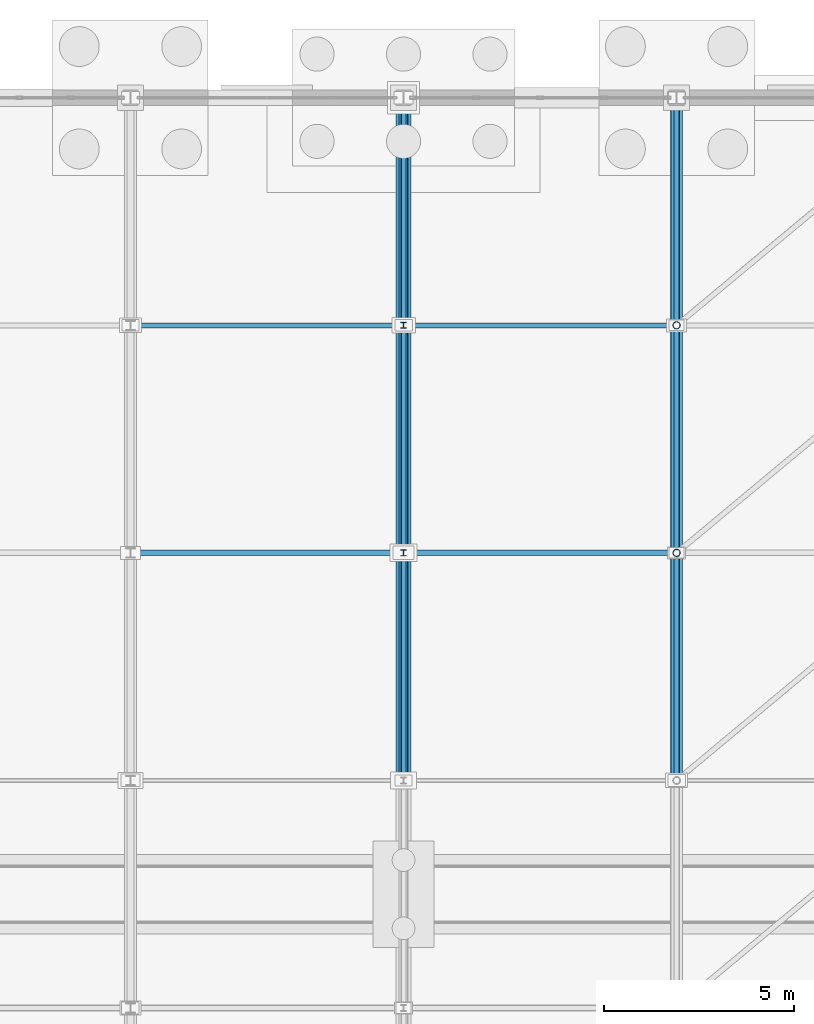
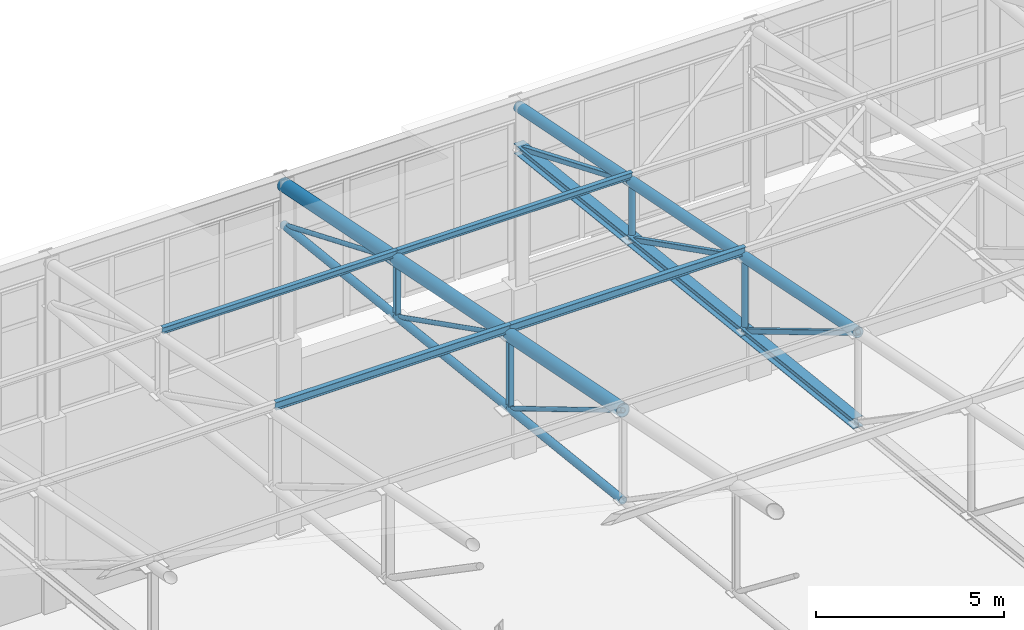
# One storey, part 211 of 293: 26 members.
"""IFC4 building model written with IfcOpenShell, lengths in metres."""

from ifc_helpers import new_model, si_unit, direction, frame, origin, origin_2d, place, context, subcontext, project, spatial, hollow_rectangle, hollow_circle, i_section, extrude, material, material_profile, profile_set, type_object, element, save


model = new_model("IFC4")

# Units and contexts
model_context = context("Model", 3, precision=1e-05, world=origin(), true_north=direction((0.0, 1.0)))
body_context = subcontext(model_context, "Body", "Model", "MODEL_VIEW")
ifc_project = project(units=[si_unit("LENGTHUNIT", "METRE"), si_unit("AREAUNIT", "SQUARE_METRE"), si_unit("VOLUMEUNIT", "CUBIC_METRE"), si_unit("PLANEANGLEUNIT", "RADIAN"), si_unit("MASSUNIT", "GRAM", prefix="KILO")], contexts=[model_context])

# Site, building, storey
site_placement = place(None, origin())
site = spatial("IfcSite", under=ifc_project, at=site_placement, CompositionType="ELEMENT")
building_placement = place(site_placement, origin())
building = spatial("IfcBuilding", under=site, at=building_placement, Name="Kemerveld Promenade Tramway Depot", CompositionType="ELEMENT")
storey_placement = place(building_placement, origin())
storey = spatial("IfcBuildingStorey", under=building, at=storey_placement, Name="L00", CompositionType="ELEMENT", Elevation=0.0)

# Members
ifc_material = material(Name="Steel S355", Category="steel")
ifc_material_profile_1 = material_profile(ifc_material, i_section(OverallWidth=0.154296875, OverallDepth=0.161865234375, WebThickness=0.008056640625, FlangeThickness=0.011474609375, FilletRadius=0.007568359375, at=origin_2d()), Name="152x152x37 UC")
ifc_profile_set_1 = profile_set([ifc_material_profile_1], Name="Steel S355")
member_type_1 = type_object("IfcMemberType", Name="MB-M05", PredefinedType="POST", material=ifc_profile_set_1)
member_1_placement = place(storey_placement, frame((100.800048828125, 132.0, 11.1201171875), z_axis=(0.0, 0.0, 1.0), x_axis=(1.0, 0.0, 0.0)))
element("IfcMember", 1, at=member_1_placement, inside=storey, type_object=member_type_1, Name="TR-15-VT-08", PredefinedType="POST", context=body_context, shape_type="SweptSolid", body=[
    extrude(i_section(OverallWidth=0.154296875, OverallDepth=0.161865234375, WebThickness=0.008056640625, FlangeThickness=0.011474609375, FilletRadius=0.007568359375, at=origin_2d()), origin(), (0.0, 0.0, 1.0), 2.3798828125),
])
member_2_placement = place(storey_placement, frame((100.800048828125, 138.0, 10.4599609375), z_axis=(0.0, 0.0, 1.0), x_axis=(1.0, 0.0, 0.0)))
element("IfcMember", 2, at=member_2_placement, inside=storey, type_object=member_type_1, Name="TR-15-VT-09", PredefinedType="POST", context=body_context, shape_type="SweptSolid", body=[
    extrude(i_section(OverallWidth=0.154296875, OverallDepth=0.161865234375, WebThickness=0.008056640625, FlangeThickness=0.011474609375, FilletRadius=0.007568359375, at=origin_2d()), origin(), (0.0, 0.0, 1.0), 1.840087890625),
])
ifc_material_profile_2 = material_profile(ifc_material, i_section(OverallWidth=0.146484375, OverallDepth=0.256103515625, WebThickness=0.00634765625, FlangeThickness=0.010986328125, FilletRadius=0.007568359375, at=origin_2d()), Name="254x146x37 UB")
ifc_profile_set_2 = profile_set([ifc_material_profile_2], Name="Steel S355")
member_type_2 = type_object("IfcMemberType", Name="MB-PR3", PredefinedType="PURLIN", material=ifc_profile_set_2)
for number, where, z_axis, x_axis, name in (
    (3, (93.60009765625, 132.0, 13.7451171875), (1.0, 0.0, 0.0), (0.0, 1.0, 0.0), "PUR-V1-08-14"),
    (4, (100.800048828125, 132.0, 13.7451171875), (1.0, 0.0, 0.0), (0.0, 1.0, 0.0), "PUR-V1-08-15"),
):
    element("IfcMember", number, at=place(storey_placement, frame(where, z_axis=z_axis, x_axis=x_axis)), inside=storey, type_object=member_type_2, Name=name, PredefinedType="PURLIN", context=body_context, shape_type="SweptSolid", body=[
        extrude(i_section(OverallWidth=0.146484375, OverallDepth=0.256103515625, WebThickness=0.00634765625, FlangeThickness=0.010986328125, FilletRadius=0.007568359375, at=origin_2d()), origin(), (0.0, 0.0, 1.0), 7.199951171875),
    ])
ifc_material_profile_3 = material_profile(ifc_material, i_section(OverallWidth=0.13330078125, OverallDepth=0.203125, WebThickness=0.005615234375, FlangeThickness=0.0078125, FilletRadius=0.007568359375, at=origin_2d()), Name="203x133x25 UB")
ifc_profile_set_3 = profile_set([ifc_material_profile_3], Name="Steel S355")
member_type_3 = type_object("IfcMemberType", Name="MB-PR4", PredefinedType="PURLIN", material=ifc_profile_set_3)
for number, where, z_axis, x_axis, name in (
    (5, (93.60009765625, 138.0, 12.544921875), (1.0, 0.0, 0.0), (0.0, 1.0, 0.0), "PUR-V1-09-14"),
    (6, (100.800048828125, 138.0, 12.544921875), (1.0, 0.0, 0.0), (0.0, 1.0, 0.0), "PUR-V1-09-15"),
):
    element("IfcMember", number, at=place(storey_placement, frame(where, z_axis=z_axis, x_axis=x_axis)), inside=storey, type_object=member_type_3, Name=name, PredefinedType="PURLIN", context=body_context, shape_type="SweptSolid", body=[
        extrude(i_section(OverallWidth=0.13330078125, OverallDepth=0.203125, WebThickness=0.005615234375, FlangeThickness=0.0078125, FilletRadius=0.007568359375, at=origin_2d()), origin(), (0.0, 0.0, 1.0), 7.199951171875),
    ])
ifc_material_profile_4 = material_profile(ifc_material, hollow_circle(Radius=0.06982421875, WallThickness=0.00634765625, at=origin_2d()), Name="139.7x6.3 CHS")
ifc_profile_set_4 = profile_set([ifc_material_profile_4], Name="Steel S355")
member_type_4 = type_object("IfcMemberType", Name="MB-TB3", PredefinedType="BRACE", material=ifc_profile_set_4)
member_3_placement = place(storey_placement, frame((100.800048828125, 132.0, 11.1201171875), z_axis=(0.0, -0.8587636701, 0.512371895128), x_axis=(1.0, 0.0, 0.0)))
element("IfcMember", 7, at=member_3_placement, inside=storey, type_object=member_type_4, Name="TR-15-DG-08", PredefinedType="BRACE", context=body_context, shape_type="SweptSolid", body=[
    extrude(hollow_circle(Radius=0.06982421875, WallThickness=0.00634765625, at=origin_2d()), origin(), (0.0, 0.0, 1.0), 6.98681640625),
])
member_4_placement = place(storey_placement, frame((100.800048828125, 138.0, 10.4599609375), z_axis=(0.0, -0.892033434612, 0.451969414379), x_axis=(1.0, 0.0, 0.0)))
element("IfcMember", 8, at=member_4_placement, inside=storey, type_object=member_type_4, Name="TR-15-DG-09", PredefinedType="BRACE", context=body_context, shape_type="SweptSolid", body=[
    extrude(hollow_circle(Radius=0.06982421875, WallThickness=0.00634765625, at=origin_2d()), origin(), (0.0, 0.0, 1.0), 6.726318359375),
])
member_5_placement = place(storey_placement, frame((100.800048828125, 144.0, 9.800048828125), z_axis=(0.0, -0.923076923077, 0.384615384615), x_axis=(1.0, 0.0, 0.0)))
element("IfcMember", 9, at=member_5_placement, inside=storey, type_object=member_type_4, Name="TR-15-DG-10", PredefinedType="BRACE", context=body_context, shape_type="SweptSolid", body=[
    extrude(hollow_circle(Radius=0.06982421875, WallThickness=0.00634765625, at=origin_2d()), origin(), (0.0, 0.0, 1.0), 6.5),
])
ifc_material_profile_5 = material_profile(ifc_material, hollow_rectangle(XDim=0.14990234375, YDim=0.14990234375, WallThickness=0.008056640625, InnerFilletRadius=0.00390625, OuterFilletRadius=0.011962890625, at=origin_2d()), Name="150x150x8.0 SHS")
ifc_profile_set_5 = profile_set([ifc_material_profile_5], Name="Steel S355")
member_type_5 = type_object("IfcMemberType", Name="MB-TB4", PredefinedType="BRACE", material=ifc_profile_set_5)
member_6_placement = place(storey_placement, frame((108.0, 132.0, 11.1201171875), z_axis=(0.0, -0.8587636701, 0.512371895128), x_axis=(1.0, 0.0, 0.0)))
element("IfcMember", 10, at=member_6_placement, inside=storey, type_object=member_type_5, Name="TR-16-DG-08", PredefinedType="BRACE", context=body_context, shape_type="SweptSolid", body=[
    extrude(hollow_rectangle(XDim=0.14990234375, YDim=0.14990234375, WallThickness=0.008056640625, InnerFilletRadius=0.00390625, OuterFilletRadius=0.011962890625, at=origin_2d()), origin(), (0.0, 0.0, 1.0), 6.98681640625),
])
member_7_placement = place(storey_placement, frame((108.0, 138.0, 10.4599609375), z_axis=(0.0, -0.892033434612, 0.451969414379), x_axis=(1.0, 0.0, 0.0)))
element("IfcMember", 11, at=member_7_placement, inside=storey, type_object=member_type_5, Name="TR-16-DG-09", PredefinedType="BRACE", context=body_context, shape_type="SweptSolid", body=[
    extrude(hollow_rectangle(XDim=0.14990234375, YDim=0.14990234375, WallThickness=0.008056640625, InnerFilletRadius=0.00390625, OuterFilletRadius=0.011962890625, at=origin_2d()), origin(), (0.0, 0.0, 1.0), 6.726318359375),
])
member_8_placement = place(storey_placement, frame((108.0, 144.0, 9.800048828125), z_axis=(0.0, -0.923076923077, 0.384615384615), x_axis=(1.0, 0.0, 0.0)))
element("IfcMember", 12, at=member_8_placement, inside=storey, type_object=member_type_5, Name="TR-16-DG-10", PredefinedType="BRACE", context=body_context, shape_type="SweptSolid", body=[
    extrude(hollow_rectangle(XDim=0.14990234375, YDim=0.14990234375, WallThickness=0.008056640625, InnerFilletRadius=0.00390625, OuterFilletRadius=0.011962890625, at=origin_2d()), origin(), (0.0, 0.0, 1.0), 6.5),
])
ifc_material_profile_6 = material_profile(ifc_material, hollow_circle(Radius=0.203125, WallThickness=0.01611328125, at=origin_2d()), Name="406.4x16.0 CHS")
ifc_profile_set_6 = profile_set([ifc_material_profile_6], Name="Steel S355")
member_type_6 = type_object("IfcMemberType", Name="MB-TC1", PredefinedType="CHORD", material=ifc_profile_set_6)
for number, where, z_axis, x_axis, name in (
    (13, (100.800048828125, 126.0, 14.699951171875), (0.0, 0.980582210276, -0.196108462057), (-1.0, 0.0, 0.0), "TR-15-TC-08"),
    (14, (100.800048828125, 132.0, 13.5), (0.0, 0.980582210276, -0.196108462057), (-1.0, 0.0, 0.0), "TR-15-TC-09"),
    (15, (100.800048828125, 138.0, 12.300048828125), (0.0, 0.980582210276, -0.196108462057), (-1.0, 0.0, 0.0), "TR-15-TC-10"),
):
    element("IfcMember", number, at=place(storey_placement, frame(where, z_axis=z_axis, x_axis=x_axis)), inside=storey, type_object=member_type_6, Name=name, PredefinedType="CHORD", context=body_context, shape_type="SweptSolid", body=[
        extrude(hollow_circle(Radius=0.203125, WallThickness=0.01611328125, at=origin_2d()), origin(), (0.0, 0.0, 1.0), 6.118896484375),
    ])
ifc_material_profile_7 = material_profile(ifc_material, hollow_circle(Radius=0.161865234375, WallThickness=0.012451171875, at=origin_2d()), Name="323.9x12.5 CHS")
ifc_profile_set_7 = profile_set([ifc_material_profile_7], Name="Steel S355")
member_type_7 = type_object("IfcMemberType", Name="MB-TC2", PredefinedType="CHORD", material=ifc_profile_set_7)
for number, where, z_axis, x_axis, name in (
    (16, (108.0, 126.0, 14.699951171875), (0.0, 0.980582210276, -0.196108462057), (-1.0, 0.0, 0.0), "TR-16-TC-08"),
    (17, (108.0, 132.0, 13.5), (0.0, 0.980582210276, -0.196108462057), (-1.0, 0.0, 0.0), "TR-16-TC-09"),
    (18, (108.0, 138.0, 12.300048828125), (0.0, 0.980582210276, -0.196108462057), (-1.0, 0.0, 0.0), "TR-16-TC-10"),
):
    element("IfcMember", number, at=place(storey_placement, frame(where, z_axis=z_axis, x_axis=x_axis)), inside=storey, type_object=member_type_7, Name=name, PredefinedType="CHORD", context=body_context, shape_type="SweptSolid", body=[
        extrude(hollow_circle(Radius=0.161865234375, WallThickness=0.012451171875, at=origin_2d()), origin(), (0.0, 0.0, 1.0), 6.118896484375),
    ])
ifc_material_profile_8 = material_profile(ifc_material, hollow_circle(Radius=0.122314453125, WallThickness=0.010009765625, at=origin_2d()), Name="244.5x10.0 CHS")
ifc_profile_set_8 = profile_set([ifc_material_profile_8], Name="Steel S355")
member_type_8 = type_object("IfcMemberType", Name="MB-TC3", PredefinedType="CHORD", material=ifc_profile_set_8)
for number, where, z_axis, x_axis, name in (
    (19, (100.800048828125, 126.0, 11.780029296875), (0.0, 0.994005938353, -0.109326092585), (-1.0, 0.0, 0.0), "TR-15-BC-08"),
    (20, (100.800048828125, 132.0, 11.1201171875), (0.0, 0.994001542248, -0.109366055104), (-1.0, 0.0, 0.0), "TR-15-BC-09"),
    (21, (100.800048828125, 138.0, 10.4599609375), (0.0, 0.994005938353, -0.109326092585), (-1.0, 0.0, 0.0), "TR-15-BC-10"),
):
    element("IfcMember", number, at=place(storey_placement, frame(where, z_axis=z_axis, x_axis=x_axis)), inside=storey, type_object=member_type_8, Name=name, PredefinedType="CHORD", context=body_context, shape_type="SweptSolid", body=[
        extrude(hollow_circle(Radius=0.122314453125, WallThickness=0.010009765625, at=origin_2d()), origin(), (0.0, 0.0, 1.0), 6.0361328125),
    ])
ifc_material_profile_9 = material_profile(ifc_material, i_section(OverallWidth=0.307373046875, OverallDepth=0.314453125, WebThickness=0.011962890625, FlangeThickness=0.018798828125, FilletRadius=0.01513671875, at=origin_2d()), Name="305x305x118 UC")
ifc_profile_set_9 = profile_set([ifc_material_profile_9], Name="Steel S355")
member_type_9 = type_object("IfcMemberType", Name="MB-TC4", PredefinedType="CHORD", material=ifc_profile_set_9)
for number, where, z_axis, x_axis, name in (
    (22, (108.0, 126.0, 11.780029296875), (0.0, 0.994005938353, -0.109326092585), (-1.0, 0.0, 0.0), "TR-16-BC-08"),
    (23, (108.0, 132.0, 11.1201171875), (0.0, 0.994001542248, -0.109366055104), (-1.0, 0.0, 0.0), "TR-16-BC-09"),
    (24, (108.0, 138.0, 10.4599609375), (0.0, 0.994005938353, -0.109326092585), (-1.0, 0.0, 0.0), "TR-16-BC-10"),
):
    element("IfcMember", number, at=place(storey_placement, frame(where, z_axis=z_axis, x_axis=x_axis)), inside=storey, type_object=member_type_9, Name=name, PredefinedType="CHORD", context=body_context, shape_type="SweptSolid", body=[
        extrude(i_section(OverallWidth=0.307373046875, OverallDepth=0.314453125, WebThickness=0.011962890625, FlangeThickness=0.018798828125, FilletRadius=0.01513671875, at=origin_2d()), origin(), (0.0, 0.0, 1.0), 6.0361328125),
    ])
ifc_material_profile_10 = material_profile(ifc_material, hollow_circle(Radius=0.096923828125, WallThickness=0.008056640625, at=origin_2d()), Name="193.7x8.0 CHS")
ifc_profile_set_10 = profile_set([ifc_material_profile_10], Name="Steel S355")
member_type_10 = type_object("IfcMemberType", Name="MB-TP1", PredefinedType="POST", material=ifc_profile_set_10)
member_9_placement = place(storey_placement, frame((108.0, 132.0, 11.1201171875), z_axis=(0.0, 0.0, 1.0), x_axis=(1.0, 0.0, 0.0)))
element("IfcMember", 25, at=member_9_placement, inside=storey, type_object=member_type_10, Name="TR-16-VT-08", PredefinedType="POST", context=body_context, shape_type="SweptSolid", body=[
    extrude(hollow_circle(Radius=0.096923828125, WallThickness=0.008056640625, at=origin_2d()), origin(), (0.0, 0.0, 1.0), 2.3798828125),
])
member_10_placement = place(storey_placement, frame((108.0, 138.0, 10.4599609375), z_axis=(0.0, 0.0, 1.0), x_axis=(1.0, 0.0, 0.0)))
element("IfcMember", 26, at=member_10_placement, inside=storey, type_object=member_type_10, Name="TR-16-VT-09", PredefinedType="POST", context=body_context, shape_type="SweptSolid", body=[
    extrude(hollow_circle(Radius=0.096923828125, WallThickness=0.008056640625, at=origin_2d()), origin(), (0.0, 0.0, 1.0), 1.840087890625),
])

save(model, "model.ifc")
